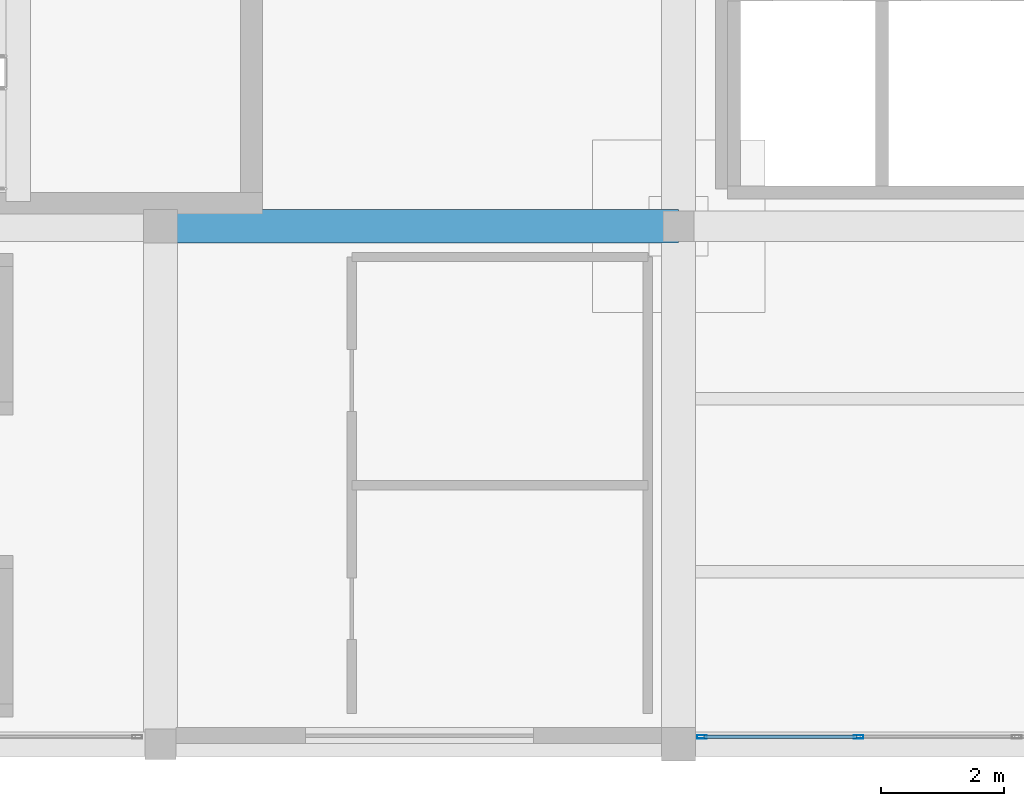
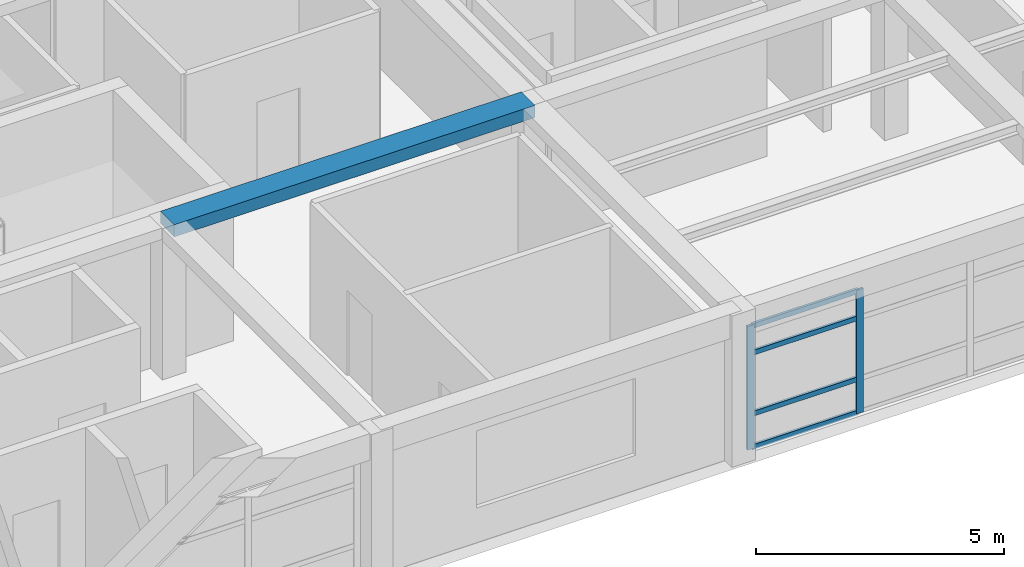
# One storey, part 5 of 22: 6 members, 1 beam, 1 element without a shape of its own.
"""IFC4 building model written with IfcOpenShell, lengths in metres."""

from ifc_helpers import new_model, si_unit, direction, frame, origin, origin_2d, place, context, subcontext, project, spatial, rectangle, hollow_rectangle, extrude, material, material_profile, profile_set, type_object, element, aggregate, save


model = new_model("IFC4")

# Units and contexts
model_context = context("Model", 3, precision=1e-05, world=origin(), true_north=direction((0.0, 1.0)))
body_context = subcontext(model_context, "Body", "Model", "MODEL_VIEW")
ifc_project = project(units=[si_unit("LENGTHUNIT", "METRE"), si_unit("AREAUNIT", "SQUARE_METRE"), si_unit("VOLUMEUNIT", "CUBIC_METRE"), si_unit("PLANEANGLEUNIT", "RADIAN"), si_unit("MASSUNIT", "GRAM", prefix="KILO")], contexts=[model_context])

# Site, building, storey
site_placement = place(None, origin())
site = spatial("IfcSite", under=ifc_project, at=site_placement, CompositionType="ELEMENT")
building_placement = place(site_placement, origin())
building = spatial("IfcBuilding", under=site, at=building_placement, Name="Almacenes y Pasaje Nevantli", CompositionType="ELEMENT")
storey_placement = place(building_placement, frame((0.0, 0.0, 58.699951171875)))
storey = spatial("IfcBuildingStorey", under=building, at=storey_placement, Name="L14", CompositionType="ELEMENT", Elevation=58.699951171875)

# Beam
ifc_material_1 = material(Name="Concrete C35/45", Category="concrete")
ifc_material_profile_1 = material_profile(ifc_material_1, rectangle(XDim=0.550048828125, YDim=0.300048828125, at=origin_2d()), Name="RC-BM-550x300")
ifc_profile_set_1 = profile_set([ifc_material_profile_1], Name="Concrete C35/45")
beam_type = type_object("IfcBeamType", Name="BM-RC-550x300", PredefinedType="BEAM", material=ifc_profile_set_1)
beam_placement = place(storey_placement, frame((126.0, 75.60009765625, 3.570068359375), z_axis=(1.0, 0.0, 0.0), x_axis=(0.0, 1.0, 0.0)))
element("IfcBeam", 1, at=beam_placement, inside=storey, type_object=beam_type, Name="L14 East-West Reinforced Concrete Beam #3990", PredefinedType="BEAM", context=body_context, shape_type="SweptSolid", body=[
    extrude(rectangle(XDim=0.550048828125, YDim=0.300048828125, at=origin_2d()), origin(), (0.0, 0.0, 1.0), 8.39990234375),
])

# Curtain wall, members
ifc_material_2 = material(Name="Thermally Broken Aluminium and Low-E Glass", Category="aluminium")
curtain_wall_type = type_object("IfcCurtainWallType", Name="CW-UNIT-TOWER", PredefinedType="USERDEFINED", material=ifc_material_2)
curtain_wall_placement = place(storey_placement, origin())
curtain_wall = element("IfcCurtainWall", 2, at=curtain_wall_placement, inside=storey, type_object=curtain_wall_type, Name="L14 Tower South Unitized Curtain Wall Bay 17", ObjectType="UNITIZED CURTAIN WALL", PredefinedType="USERDEFINED")
ifc_material_3 = material(Name="Thermally Broken Anodized Aluminium", Category="aluminium")
ifc_material_profile_2 = material_profile(ifc_material_3, hollow_rectangle(XDim=0.06005859375, YDim=0.159912109375, WallThickness=0.00390625, at=origin_2d()), Name="ALU-MUL-60x160")
ifc_profile_set_2 = profile_set([ifc_material_profile_2], Name="Thermally Broken Anodized Aluminium")
member_type_1 = type_object("IfcMemberType", Name="CW-MUL-180", PredefinedType="MULLION", material=ifc_profile_set_2)
member_1_placement = place(storey_placement, frame((134.780029296875, 67.320068359375, 0.0), z_axis=(0.0, 0.0, 1.0), x_axis=(0.0, 1.0, 0.0)))
member_1 = element("IfcMember", 3, at=member_1_placement, type_object=member_type_1, Name="CW-L14-179 mullion 1", PredefinedType="MULLION", context=body_context, shape_type="SweptSolid", body=[
    extrude(hollow_rectangle(XDim=0.06005859375, YDim=0.159912109375, WallThickness=0.00390625, at=origin_2d()), origin(), (0.0, 0.0, 1.0), 3.0400390625),
])
member_2_placement = place(storey_placement, frame((137.316650390625, 67.320068359375, 0.0), z_axis=(0.0, 0.0, 1.0), x_axis=(0.0, 1.0, 0.0)))
member_2 = element("IfcMember", 4, at=member_2_placement, type_object=member_type_1, Name="CW-L14-179 mullion 2", PredefinedType="MULLION", context=body_context, shape_type="SweptSolid", body=[
    extrude(hollow_rectangle(XDim=0.06005859375, YDim=0.159912109375, WallThickness=0.00390625, at=origin_2d()), origin(), (0.0, 0.0, 1.0), 3.0400390625),
])
ifc_material_4 = material(Name="Thermally Broken Anodized Aluminium", Category="aluminium")
ifc_material_profile_3 = material_profile(ifc_material_4, hollow_rectangle(XDim=0.06005859375, YDim=0.1201171875, WallThickness=0.00341796875, at=origin_2d()), Name="ALU-TRN-60x120")
ifc_profile_set_3 = profile_set([ifc_material_profile_3], Name="Thermally Broken Anodized Aluminium")
member_type_2 = type_object("IfcMemberType", Name="CW-TRN-130", PredefinedType="USERDEFINED", material=ifc_profile_set_3)
member_3_placement = place(storey_placement, frame((134.81005859375, 67.320068359375, 0.030029296875), z_axis=(1.0, 0.0, 0.0), x_axis=(0.0, 1.0, 0.0)))
member_3 = element("IfcMember", 5, at=member_3_placement, type_object=member_type_2, Name="CW-L14-179 transom 1.1", ObjectType="TRANSOM", PredefinedType="USERDEFINED", context=body_context, shape_type="SweptSolid", body=[
    extrude(hollow_rectangle(XDim=0.06005859375, YDim=0.1201171875, WallThickness=0.00341796875, at=origin_2d()), origin(), (0.0, 0.0, 1.0), 2.4765625),
])
member_4_placement = place(storey_placement, frame((134.81005859375, 67.320068359375, 0.85009765625), z_axis=(1.0, 0.0, 0.0), x_axis=(0.0, 1.0, 0.0)))
member_4 = element("IfcMember", 6, at=member_4_placement, type_object=member_type_2, Name="CW-L14-179 transom 1.2", ObjectType="TRANSOM", PredefinedType="USERDEFINED", context=body_context, shape_type="SweptSolid", body=[
    extrude(hollow_rectangle(XDim=0.06005859375, YDim=0.1201171875, WallThickness=0.00341796875, at=origin_2d()), origin(), (0.0, 0.0, 1.0), 2.4765625),
])
member_5_placement = place(storey_placement, frame((134.81005859375, 67.320068359375, 2.35009765625), z_axis=(1.0, 0.0, 0.0), x_axis=(0.0, 1.0, 0.0)))
member_5 = element("IfcMember", 7, at=member_5_placement, type_object=member_type_2, Name="CW-L14-179 transom 1.3", ObjectType="TRANSOM", PredefinedType="USERDEFINED", context=body_context, shape_type="SweptSolid", body=[
    extrude(hollow_rectangle(XDim=0.06005859375, YDim=0.1201171875, WallThickness=0.00341796875, at=origin_2d()), origin(), (0.0, 0.0, 1.0), 2.4765625),
])
member_6_placement = place(storey_placement, frame((134.81005859375, 67.320068359375, 3.010009765625), z_axis=(1.0, 0.0, 0.0), x_axis=(0.0, 1.0, 0.0)))
member_6 = element("IfcMember", 8, at=member_6_placement, type_object=member_type_2, Name="CW-L14-179 transom 1.4", ObjectType="TRANSOM", PredefinedType="USERDEFINED", context=body_context, shape_type="SweptSolid", body=[
    extrude(hollow_rectangle(XDim=0.06005859375, YDim=0.1201171875, WallThickness=0.00341796875, at=origin_2d()), origin(), (0.0, 0.0, 1.0), 2.4765625),
])
aggregate(curtain_wall, [member_1, member_2, member_3, member_4, member_5, member_6])

save(model, "model.ifc")
